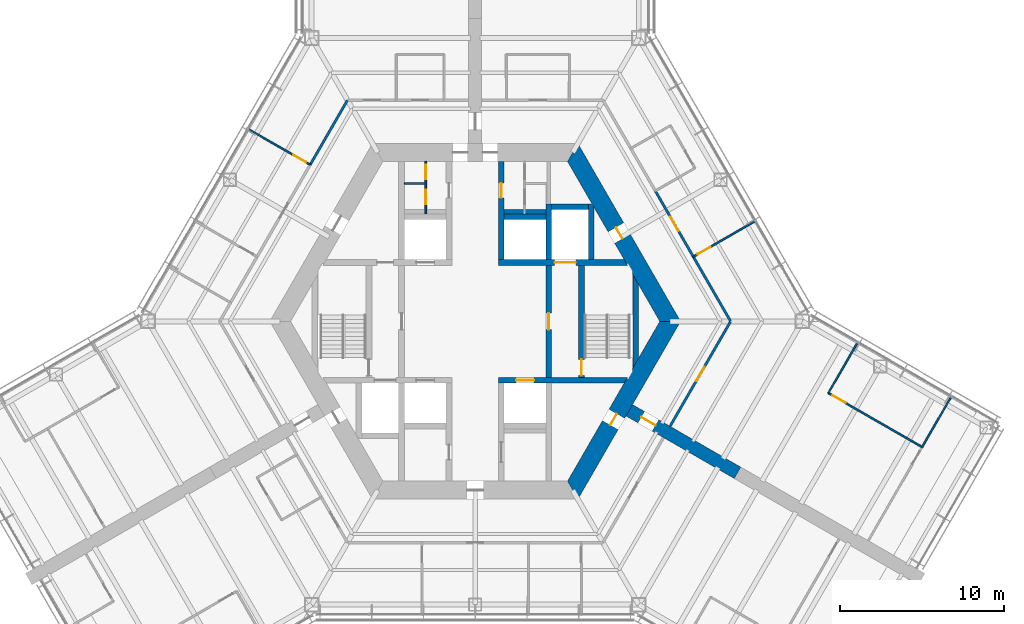
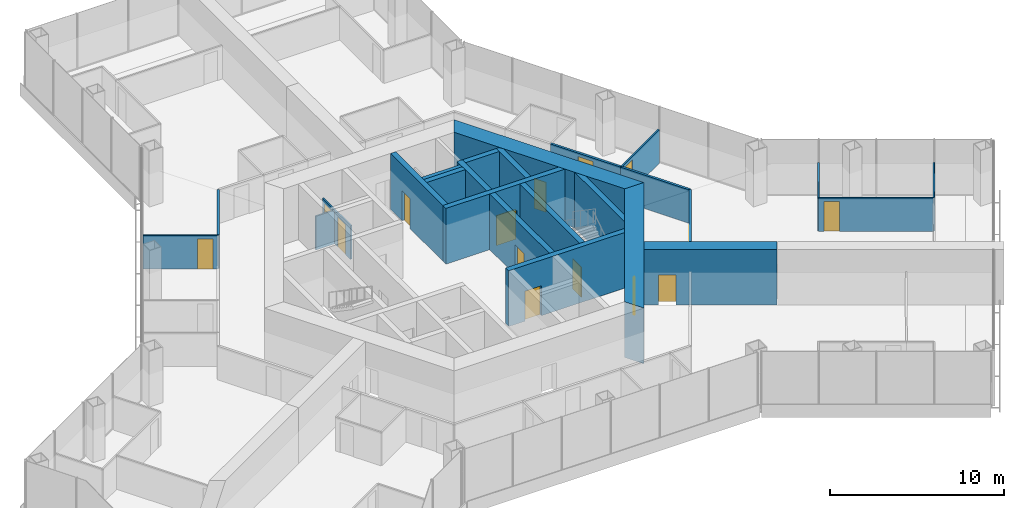
# One storey, part 14 of 18: 25 walls, 15 doors, 15 openings.
"""IFC4 building model written with IfcOpenShell, lengths in metres."""

from ifc_helpers import new_model, si_unit, direction, frame, frame_2d, origin, place, context, subcontext, project, spatial, polyline, rectangle, outline, extrude, material, layer, layer_set, type_object, element, fill, save


model = new_model("IFC4")

# Units and contexts
model_context = context("Model", 3, precision=1e-05, world=origin(), true_north=direction((0.0, 1.0)))
body_context = subcontext(model_context, "Body", "Model", "MODEL_VIEW")
ifc_project = project(units=[si_unit("LENGTHUNIT", "METRE"), si_unit("AREAUNIT", "SQUARE_METRE"), si_unit("VOLUMEUNIT", "CUBIC_METRE"), si_unit("PLANEANGLEUNIT", "RADIAN"), si_unit("MASSUNIT", "GRAM", prefix="KILO")], contexts=[model_context])

# Site, building, storey
site_placement = place(None, origin())
site = spatial("IfcSite", under=ifc_project, at=site_placement, CompositionType="ELEMENT")
building_placement = place(site_placement, origin())
building = spatial("IfcBuilding", under=site, at=building_placement, Name="Kasaneha Research Tower", CompositionType="ELEMENT")
storey_placement = place(building_placement, frame((0.0, 0.0, 119.699951171875)))
storey = spatial("IfcBuildingStorey", under=building, at=storey_placement, Name="L30", CompositionType="ELEMENT", Elevation=119.699951171875)

# Wall, opening, door
ifc_material_1 = material(Name="Concrete Fc80", Category="concrete")
ifc_layer_1 = layer(ifc_material_1, 0.35009765625)
ifc_layer_set_1 = layer_set([ifc_layer_1], Name="Core internal wall 350 Fc80")
wall_type_1 = type_object("IfcWallType", Name="Core internal wall 350 Fc80", PredefinedType="SHEAR", material=ifc_layer_set_1)
wall_1_placement = place(storey_placement, frame((1.425048828125, 3.60009765625, 0.0), z_axis=(0.0, 0.0, 1.0), x_axis=(1.0, 0.0, 0.0)))
wall_1 = element("IfcWall", 1, at=wall_1_placement, inside=storey, type_object=wall_type_1, Name="Core wall W1E L30", PredefinedType="SHEAR", context=body_context, shape_type="SweptSolid", body=[
    extrude(outline(polyline([(0.0, -0.175048828125), (3.425048828125, -0.175048828125), (4.72509765625, -0.175048828125), (7.884765625, -0.175048828125), (7.6826171875, 0.175048828125), (4.72509765625, 0.175048828125), (3.425048828125, 0.175048828125), (0.0, 0.175048828125), (0.0, -0.175048828125)])), origin(), (0.0, 0.0, 1.0), 3.900146484375),
])
opening_1_placement = place(wall_1_placement, frame((3.425048828125, 0.0, 0.0)))
opening_1 = element("IfcOpeningElement", 2, at=opening_1_placement, cuts=wall_1, Name="Opening LD-FL1-L30", PredefinedType="OPENING", context=body_context, shape_type="SweptSolid", body=[
    extrude(rectangle(XDim=1.300048828125, YDim=2.10009765625, at=frame_2d((0.64990234375, 1.050048828125))), frame((0.0, 0.18505859375, 0.0), z_axis=(0.0, -1.0, 0.0), x_axis=(1.0, 0.0, 0.0)), (0.0, 0.0, 1.0), 0.3701171875),
])
ifc_material_2 = material(Name="Steel", Category="steel")
door_type_1 = type_object("IfcDoorType", Name="Lift landing door 1300x2100", OperationType="DOUBLE_DOOR_SLIDING", PredefinedType="DOOR", material=ifc_material_2)
door_1_placement = place(opening_1_placement, origin())
door_1 = element("IfcDoor", 3, at=door_1_placement, inside=storey, type_object=door_type_1, Name="Landing door FL1 LD-FL1-L30", OperationType="DOUBLE_DOOR_SLIDING", OverallHeight=2.10009765625, OverallWidth=1.300048828125, PredefinedType="DOOR", context=body_context, shape_type="SweptSolid", body=[
    extrude(rectangle(XDim=1.300048828125, YDim=2.10009765625, at=frame_2d((0.64990234375, 1.050048828125))), frame((0.0, 0.02490234375, 0.0), z_axis=(0.0, -1.0, 0.0), x_axis=(1.0, 0.0, 0.0)), (0.0, 0.0, 1.0), 0.050048828125),
])
fill(opening_1, door_1)

wall_2_placement = place(storey_placement, frame((1.425048828125, -3.60009765625, 0.0), z_axis=(0.0, 0.0, 1.0), x_axis=(1.0, 0.0, 0.0)))
wall_2 = element("IfcWall", 4, at=wall_2_placement, inside=storey, type_object=wall_type_1, Name="Core wall W2E L30", PredefinedType="SHEAR", context=body_context, shape_type="SweptSolid", body=[
    extrude(outline(polyline([(0.0, -0.175048828125), (1.074951171875, -0.175048828125), (2.175048828125, -0.175048828125), (7.6826171875, -0.175048828125), (7.884765625, 0.175048828125), (2.175048828125, 0.175048828125), (1.074951171875, 0.175048828125), (0.0, 0.175048828125), (0.0, -0.175048828125)])), origin(), (0.0, 0.0, 1.0), 3.900146484375),
])
opening_2_placement = place(wall_2_placement, frame((1.074951171875, 0.0, 0.0)))
opening_2 = element("IfcOpeningElement", 5, at=opening_2_placement, cuts=wall_2, Name="Opening LD-LO3-L30", PredefinedType="OPENING", context=body_context, shape_type="SweptSolid", body=[
    extrude(rectangle(XDim=1.10009765625, YDim=2.10009765625, at=frame_2d((0.550048828125, 1.050048828125))), frame((0.0, 0.18505859375, 0.0), z_axis=(0.0, -1.0, 0.0), x_axis=(1.0, 0.0, 0.0)), (0.0, 0.0, 1.0), 0.3701171875),
])
ifc_material_3 = material(Name="Steel", Category="steel")
door_type_2 = type_object("IfcDoorType", Name="Lift landing door 1100x2100", OperationType="DOUBLE_DOOR_SLIDING", PredefinedType="DOOR", material=ifc_material_3)
door_2_placement = place(opening_2_placement, origin())
door_2 = element("IfcDoor", 6, at=door_2_placement, inside=storey, type_object=door_type_2, Name="Landing door LO3 LD-LO3-L30", OperationType="DOUBLE_DOOR_SLIDING", OverallHeight=2.10009765625, OverallWidth=1.10009765625, PredefinedType="DOOR", context=body_context, shape_type="SweptSolid", body=[
    extrude(rectangle(XDim=1.10009765625, YDim=2.10009765625, at=frame_2d((0.550048828125, 1.050048828125))), frame((0.0, 0.02490234375, 0.0), z_axis=(0.0, -1.0, 0.0), x_axis=(1.0, 0.0, 0.0)), (0.0, 0.0, 1.0), 0.050048828125),
])
fill(opening_2, door_2)

wall_3_placement = place(storey_placement, frame((1.60009765625, 3.77490234375, 0.0), z_axis=(0.0, 0.0, 1.0), x_axis=(0.0, 1.0, 0.0)))
wall_3 = element("IfcWall", 7, at=wall_3_placement, inside=storey, type_object=wall_type_1, Name="Core wall CNE L30", PredefinedType="SHEAR", context=body_context, shape_type="SweptSolid", body=[
    extrude(rectangle(XDim=6.0, YDim=0.35009765625, at=frame_2d((3.0, 0.0))), origin(), (0.0, 0.0, 1.0), 3.900146484375),
])
opening_3_placement = place(wall_3_placement, frame((3.77490234375, 0.0, 0.0)))
opening_3 = element("IfcOpeningElement", 8, at=opening_3_placement, cuts=wall_3, Name="Opening L30-D14", PredefinedType="OPENING", context=body_context, shape_type="SweptSolid", body=[
    extrude(rectangle(XDim=0.89990234375, YDim=2.10009765625, at=frame_2d((0.449951171875, 1.050048828125))), frame((0.0, 0.18505859375, 0.0), z_axis=(0.0, -1.0, 0.0), x_axis=(1.0, 0.0, 0.0)), (0.0, 0.0, 1.0), 0.3701171875),
])
ifc_material_4 = material(Name="Steel", Category="steel")
door_type_3 = type_object("IfcDoorType", Name="Toilet door FD20 900x2100", OperationType="NOTDEFINED", PredefinedType="DOOR", material=ifc_material_4)
door_3_placement = place(opening_3_placement, origin())
door_3 = element("IfcDoor", 9, at=door_3_placement, inside=storey, type_object=door_type_3, Name="Women's WC door L30-D14", OperationType="SINGLE_SWING_LEFT", OverallHeight=2.10009765625, OverallWidth=0.89990234375, PredefinedType="DOOR", context=body_context, shape_type="SweptSolid", body=[
    extrude(rectangle(XDim=0.89990234375, YDim=2.10009765625, at=frame_2d((0.449951171875, 1.050048828125))), frame((0.0, 0.02490234375, 0.0), z_axis=(0.0, -1.0, 0.0), x_axis=(1.0, 0.0, 0.0)), (0.0, 0.0, 1.0), 0.050048828125),
])
fill(opening_3, door_3)

wall_4_placement = place(storey_placement, frame((4.5, -3.425048828125, 0.0), z_axis=(0.0, 0.0, 1.0), x_axis=(0.0, 1.0, 0.0)))
wall_4 = element("IfcWall", 10, at=wall_4_placement, inside=storey, type_object=wall_type_1, Name="Core wall LBE L30", PredefinedType="SHEAR", context=body_context, shape_type="SweptSolid", body=[
    extrude(rectangle(XDim=6.85009765625, YDim=0.35009765625, at=frame_2d((3.425048828125, 0.0))), origin(), (0.0, 0.0, 1.0), 3.900146484375),
])
opening_4_placement = place(wall_4_placement, frame((2.925048828125, 0.0, 0.0)))
opening_4 = element("IfcOpeningElement", 11, at=opening_4_placement, cuts=wall_4, Name="Opening L30-D08", PredefinedType="OPENING", context=body_context, shape_type="SweptSolid", body=[
    extrude(rectangle(XDim=1.0, YDim=2.10009765625, at=frame_2d((0.5, 1.050048828125))), frame((0.0, 0.18505859375, 0.0), z_axis=(0.0, -1.0, 0.0), x_axis=(1.0, 0.0, 0.0)), (0.0, 0.0, 1.0), 0.3701171875),
])
ifc_material_5 = material(Name="Steel", Category="steel")
door_type_4 = type_object("IfcDoorType", Name="Specified fire door FD60 1000x2100", OperationType="NOTDEFINED", PredefinedType="DOOR", material=ifc_material_5)
door_4_placement = place(opening_4_placement, origin())
door_4 = element("IfcDoor", 12, at=door_4_placement, inside=storey, type_object=door_type_4, Name="Lift lobby door east L30-D08", OperationType="SINGLE_SWING_LEFT", OverallHeight=2.10009765625, OverallWidth=1.0, PredefinedType="DOOR", context=body_context, shape_type="SweptSolid", body=[
    extrude(rectangle(XDim=1.0, YDim=2.10009765625, at=frame_2d((0.5, 1.050048828125))), frame((0.0, 0.02490234375, 0.0), z_axis=(0.0, -1.0, 0.0), x_axis=(1.0, 0.0, 0.0)), (0.0, 0.0, 1.0), 0.050048828125),
])
fill(opening_4, door_4)

wall_5_placement = place(storey_placement, frame((6.5, -3.425048828125, 0.0), z_axis=(0.0, 0.0, 1.0), x_axis=(0.0, 1.0, 0.0)))
wall_5 = element("IfcWall", 13, at=wall_5_placement, inside=storey, type_object=wall_type_1, Name="Core wall ANE L30", PredefinedType="SHEAR", context=body_context, shape_type="SweptSolid", body=[
    extrude(rectangle(XDim=6.85009765625, YDim=0.35009765625, at=frame_2d((3.425048828125, 0.0))), origin(), (0.0, 0.0, 1.0), 3.900146484375),
])
opening_5_placement = place(wall_5_placement, frame((0.10009765625, 0.0, 0.0)))
opening_5 = element("IfcOpeningElement", 14, at=opening_5_placement, cuts=wall_5, Name="Opening L30-D10", PredefinedType="OPENING", context=body_context, shape_type="SweptSolid", body=[
    extrude(rectangle(XDim=1.0, YDim=2.10009765625, at=frame_2d((0.5, 1.050048828125))), frame((0.0, 0.18505859375, 0.0), z_axis=(0.0, -1.0, 0.0), x_axis=(1.0, 0.0, 0.0)), (0.0, 0.0, 1.0), 0.3701171875),
])
door_5_placement = place(opening_5_placement, origin())
door_5 = element("IfcDoor", 15, at=door_5_placement, inside=storey, type_object=door_type_4, Name="Stair 1 door L30-D10", OperationType="SINGLE_SWING_LEFT", OverallHeight=2.10009765625, OverallWidth=1.0, PredefinedType="DOOR", context=body_context, shape_type="SweptSolid", body=[
    extrude(rectangle(XDim=1.0, YDim=2.10009765625, at=frame_2d((0.5, 1.050048828125))), frame((0.0, 0.02490234375, 0.0), z_axis=(0.0, -1.0, 0.0), x_axis=(1.0, 0.0, 0.0)), (0.0, 0.0, 1.0), 0.050048828125),
])
fill(opening_5, door_5)

# Walls
wall_6_placement = place(storey_placement, frame((4.5, 3.77490234375, 0.0), z_axis=(0.0, 0.0, 1.0), x_axis=(0.0, 1.0, 0.0)))
element("IfcWall", 16, at=wall_6_placement, inside=storey, type_object=wall_type_1, Name="Core wall FNE L30", PredefinedType="SHEAR", context=body_context, shape_type="SweptSolid", body=[
    extrude(rectangle(XDim=3.400146484375, YDim=0.35009765625, at=frame_2d((1.7001953125, 0.0))), origin(), (0.0, 0.0, 1.0), 3.900146484375),
])
wall_7_placement = place(storey_placement, frame((1.77490234375, 6.39990234375, 0.0), z_axis=(0.0, 0.0, 1.0), x_axis=(1.0, 0.0, 0.0)))
element("IfcWall", 17, at=wall_7_placement, inside=storey, type_object=wall_type_1, Name="Core wall N3N L30", PredefinedType="SHEAR", context=body_context, shape_type="SweptSolid", body=[
    extrude(rectangle(XDim=2.550048828125, YDim=0.35009765625, at=frame_2d((1.27490234375, 0.0))), origin(), (0.0, 0.0, 1.0), 3.900146484375),
])
wall_8_placement = place(storey_placement, frame((4.675048828125, 7.0, 0.0), z_axis=(0.0, 0.0, 1.0), x_axis=(1.0, 0.0, 0.0)))
element("IfcWall", 18, at=wall_8_placement, inside=storey, type_object=wall_type_1, Name="Core wall F1N L30", PredefinedType="SHEAR", context=body_context, shape_type="SweptSolid", body=[
    extrude(rectangle(XDim=2.25, YDim=0.35009765625, at=frame_2d((1.125, 0.0))), origin(), (0.0, 0.0, 1.0), 3.900146484375),
])
wall_9_placement = place(storey_placement, frame((7.10009765625, 3.77490234375, 0.0), z_axis=(0.0, 0.0, 1.0), x_axis=(0.0, 1.0, 0.0)))
element("IfcWall", 19, at=wall_9_placement, inside=storey, type_object=wall_type_1, Name="Core wall F1E L30", PredefinedType="SHEAR", context=body_context, shape_type="SweptSolid", body=[
    extrude(outline(polyline([(0.0, -0.175048828125), (3.174560546875, -0.175048828125), (3.400146484375, 0.0), (3.400146484375, 0.175048828125), (0.0, 0.175048828125), (0.0, -0.175048828125)])), origin(), (0.0, 0.0, 1.0), 3.900146484375),
])
wall_10_placement = place(storey_placement, frame((9.807861328125, -2.562255859375, 0.0), z_axis=(0.0, 0.0, 1.0), x_axis=(0.0, 1.0, 0.0)))
element("IfcWall", 20, at=wall_10_placement, inside=storey, type_object=wall_type_1, Name="Core wall STE L30", PredefinedType="SHEAR", context=body_context, shape_type="SweptSolid", body=[
    extrude(outline(polyline([(0.30322265625, -0.175048828125), (4.8212890625, -0.175048828125), (5.427734375, 0.175048828125), (-0.30322265625, 0.175048828125), (0.30322265625, -0.175048828125)])), origin(), (0.0, 0.0, 1.0), 3.900146484375),
])

# Wall, opening, door
ifc_material_6 = material(Name="Concrete Fc80", Category="concrete")
ifc_layer_2 = layer(ifc_material_6, 1.10009765625)
ifc_layer_set_2 = layer_set([ifc_layer_2], Name="Core wall 1100 Fc80")
wall_type_2 = type_object("IfcWallType", Name="Core wall 1100 Fc80", PredefinedType="SHEAR", material=ifc_layer_set_2)
wall_11_placement = place(storey_placement, frame((11.92236328125, 0.0, 0.0), z_axis=(0.0, 0.0, 1.0), x_axis=(-0.500004296715, 0.866022923061, 0.0)))
wall_11 = element("IfcWall", 21, at=wall_11_placement, inside=storey, type_object=wall_type_2, Name="Core wall 030 L30", PredefinedType="SHEAR", context=body_context, shape_type="SweptSolid", body=[
    extrude(outline(polyline([(-0.317626953125, -0.550048828125), (5.83544921875, -0.550048828125), (6.635498046875, -0.550048828125), (12.239990234375, -0.550048828125), (11.604736328125, 0.550048828125), (6.635498046875, 0.550048828125), (5.83544921875, 0.550048828125), (0.317626953125, 0.550048828125), (-0.317626953125, -0.550048828125)])), origin(), (0.0, 0.0, 1.0), 3.900146484375),
])
opening_6_placement = place(wall_11_placement, frame((5.83544921875, 0.0, 0.0)))
opening_6 = element("IfcOpeningElement", 22, at=opening_6_placement, cuts=wall_11, Name="Opening L30-D04", PredefinedType="OPENING", context=body_context, shape_type="SweptSolid", body=[
    extrude(rectangle(XDim=0.800048828125, YDim=2.10009765625, at=frame_2d((0.39990234375, 1.050048828125))), frame((0.0, 0.56005859375, 0.0), z_axis=(0.0, -1.0, 0.0), x_axis=(1.0, 0.0, 0.0)), (0.0, 0.0, 1.0), 1.1201171875),
])
ifc_material_7 = material(Name="Steel", Category="steel")
door_type_5 = type_object("IfcDoorType", Name="Riser access door FD60 800x2100", OperationType="NOTDEFINED", PredefinedType="DOOR", material=ifc_material_7)
door_6_placement = place(opening_6_placement, origin())
door_6 = element("IfcDoor", 23, at=door_6_placement, inside=storey, type_object=door_type_5, Name="Pipe riser door L30-D04", OperationType="SINGLE_SWING_RIGHT", OverallHeight=2.10009765625, OverallWidth=0.800048828125, PredefinedType="DOOR", context=body_context, shape_type="SweptSolid", body=[
    extrude(rectangle(XDim=0.800048828125, YDim=2.10009765625, at=frame_2d((0.39990234375, 1.050048828125))), frame((0.0, 0.02490234375, 0.0), z_axis=(0.0, -1.0, 0.0), x_axis=(1.0, 0.0, 0.0)), (0.0, 0.0, 1.0), 0.050048828125),
])
fill(opening_6, door_6)

wall_12_placement = place(storey_placement, frame((5.961181640625, -10.324951171875, 0.0), z_axis=(0.0, 0.0, 1.0), x_axis=(0.500004296715, 0.866022923061, 0.0)))
wall_12 = element("IfcWall", 24, at=wall_12_placement, inside=storey, type_object=wall_type_2, Name="Core wall 330 L30", PredefinedType="SHEAR", context=body_context, shape_type="SweptSolid", body=[
    extrude(outline(polyline([(-0.317626953125, -0.550048828125), (4.593994140625, -0.550048828125), (5.39404296875, -0.550048828125), (12.239990234375, -0.550048828125), (11.604736328125, 0.550048828125), (5.39404296875, 0.550048828125), (4.593994140625, 0.550048828125), (0.317626953125, 0.550048828125), (-0.317626953125, -0.550048828125)])), origin(), (0.0, 0.0, 1.0), 3.900146484375),
])
opening_7_placement = place(wall_12_placement, frame((4.593994140625, 0.0, 0.0)))
opening_7 = element("IfcOpeningElement", 25, at=opening_7_placement, cuts=wall_12, Name="Opening L30-D05", PredefinedType="OPENING", context=body_context, shape_type="SweptSolid", body=[
    extrude(rectangle(XDim=0.800048828125, YDim=2.10009765625, at=frame_2d((0.39990234375, 1.050048828125))), frame((0.0, 0.56005859375, 0.0), z_axis=(0.0, -1.0, 0.0), x_axis=(1.0, 0.0, 0.0)), (0.0, 0.0, 1.0), 1.1201171875),
])
door_7_placement = place(opening_7_placement, origin())
door_7 = element("IfcDoor", 26, at=door_7_placement, inside=storey, type_object=door_type_5, Name="Pipe riser door L30-D05", OperationType="SINGLE_SWING_LEFT", OverallHeight=2.10009765625, OverallWidth=0.800048828125, PredefinedType="DOOR", context=body_context, shape_type="SweptSolid", body=[
    extrude(rectangle(XDim=0.800048828125, YDim=2.10009765625, at=frame_2d((0.39990234375, 1.050048828125))), frame((0.0, 0.02490234375, 0.0), z_axis=(0.0, -1.0, 0.0), x_axis=(1.0, 0.0, 0.0)), (0.0, 0.0, 1.0), 0.050048828125),
])
fill(opening_7, door_7)

# Wall, openings, doors
ifc_material_8 = material(Name="Gypsum board on steel studs, one layer each side", Category="steel")
ifc_layer_3 = layer(ifc_material_8, 0.10009765625)
ifc_layer_set_3 = layer_set([ifc_layer_3], Name="Office partition 100")
wall_type_3 = type_object("IfcWallType", Name="Office partition 100", PredefinedType="PARTITIONING", material=ifc_layer_set_3)
wall_13_placement = place(storey_placement, frame((-3.02490234375, 6.574951171875, 0.0), z_axis=(0.0, 0.0, 1.0), x_axis=(0.0, 1.0, 0.0)))
wall_13 = element("IfcWall", 27, at=wall_13_placement, inside=storey, type_object=wall_type_3, Name="Office partition TBM1 L30", PredefinedType="PARTITIONING", context=body_context, shape_type="SweptSolid", body=[
    extrude(rectangle(XDim=3.199951171875, YDim=0.10009765625, at=frame_2d((1.60009765625, 0.0))), origin(), (0.0, 0.0, 1.0), 2.35009765625),
])
opening_8_placement = place(wall_13_placement, frame((0.574951171875, 0.0, 0.0)))
opening_8 = element("IfcOpeningElement", 28, at=opening_8_placement, cuts=wall_13, Name="Opening L30-D20", PredefinedType="OPENING", context=body_context, shape_type="SweptSolid", body=[
    extrude(rectangle(XDim=0.89990234375, YDim=2.10009765625, at=frame_2d((0.449951171875, 1.050048828125))), frame((0.0, 0.06005859375, 0.0), z_axis=(0.0, -1.0, 0.0), x_axis=(1.0, 0.0, 0.0)), (0.0, 0.0, 1.0), 0.1201171875),
])
opening_9_placement = place(wall_13_placement, frame((2.10009765625, 0.0, 0.0)))
opening_9 = element("IfcOpeningElement", 29, at=opening_9_placement, cuts=wall_13, Name="Opening L30-D21", PredefinedType="OPENING", context=body_context, shape_type="SweptSolid", body=[
    extrude(rectangle(XDim=0.89990234375, YDim=2.10009765625, at=frame_2d((0.449951171875, 1.050048828125))), frame((0.0, 0.06005859375, 0.0), z_axis=(0.0, -1.0, 0.0), x_axis=(1.0, 0.0, 0.0)), (0.0, 0.0, 1.0), 0.1201171875),
])
ifc_material_9 = material(Name="Steel", Category="steel")
door_type_6 = type_object("IfcDoorType", Name="Toilet lobby door FD30 900x2100", OperationType="NOTDEFINED", PredefinedType="DOOR", material=ifc_material_9)
door_8_placement = place(opening_8_placement, origin())
door_8 = element("IfcDoor", 30, at=door_8_placement, inside=storey, type_object=door_type_6, Name="Men's WC door L30-D20", OperationType="SINGLE_SWING_RIGHT", OverallHeight=2.10009765625, OverallWidth=0.89990234375, PredefinedType="DOOR", context=body_context, shape_type="SweptSolid", body=[
    extrude(rectangle(XDim=0.89990234375, YDim=2.10009765625, at=frame_2d((0.449951171875, 1.050048828125))), frame((0.0, 0.02490234375, 0.0), z_axis=(0.0, -1.0, 0.0), x_axis=(1.0, 0.0, 0.0)), (0.0, 0.0, 1.0), 0.050048828125),
])
fill(opening_8, door_8)
door_9_placement = place(opening_9_placement, origin())
door_9 = element("IfcDoor", 31, at=door_9_placement, inside=storey, type_object=door_type_6, Name="Cleaner's store door L30-D21", OperationType="SINGLE_SWING_RIGHT", OverallHeight=2.10009765625, OverallWidth=0.89990234375, PredefinedType="DOOR", context=body_context, shape_type="SweptSolid", body=[
    extrude(rectangle(XDim=0.89990234375, YDim=2.10009765625, at=frame_2d((0.449951171875, 1.050048828125))), frame((0.0, 0.02490234375, 0.0), z_axis=(0.0, -1.0, 0.0), x_axis=(1.0, 0.0, 0.0)), (0.0, 0.0, 1.0), 0.050048828125),
])
fill(opening_9, door_9)

# Wall
wall_14_placement = place(storey_placement, frame((-3.074951171875, 8.425048828125, 0.0), z_axis=(0.0, 0.0, 1.0), x_axis=(-1.0, 0.0, 0.0)))
element("IfcWall", 32, at=wall_14_placement, inside=storey, type_object=wall_type_3, Name="Office partition TBM2 L30", PredefinedType="PARTITIONING", context=body_context, shape_type="SweptSolid", body=[
    extrude(rectangle(XDim=1.25, YDim=0.10009765625, at=frame_2d((0.625, 0.0))), origin(), (0.0, 0.0, 1.0), 2.35009765625),
])

# Wall, opening, door
wall_15_placement = place(storey_placement, frame((13.33837890625, 3.947265625, 0.0), z_axis=(0.0, 0.0, 1.0), x_axis=(0.865505397626, 0.500899597405, 0.0)))
wall_15 = element("IfcWall", 33, at=wall_15_placement, inside=storey, type_object=wall_type_3, Name="Office partition FAE17 L30", PredefinedType="PARTITIONING", context=body_context, shape_type="SweptSolid", body=[
    extrude(rectangle(XDim=4.29541015625, YDim=0.10009765625, at=frame_2d((2.147705078125, 0.0))), origin(), (0.0, 0.0, 1.0), 2.35009765625),
])
opening_10_placement = place(wall_15_placement, frame((0.300048828125, 0.0, 0.0)))
opening_10 = element("IfcOpeningElement", 34, at=opening_10_placement, cuts=wall_15, Name="Opening L30-D28", PredefinedType="OPENING", context=body_context, shape_type="SweptSolid", body=[
    extrude(rectangle(XDim=0.89990234375, YDim=2.10009765625, at=frame_2d((0.449951171875, 1.050048828125))), frame((0.0, 0.06005859375, 0.0), z_axis=(0.0, -1.0, 0.0), x_axis=(1.0, 0.0, 0.0)), (0.0, 0.0, 1.0), 0.1201171875),
])
ifc_material_10 = material(Name="Timber veneer", Category="wood")
door_type_7 = type_object("IfcDoorType", Name="Office door 900x2100", OperationType="SINGLE_SWING_LEFT", PredefinedType="DOOR", material=ifc_material_10)
door_10_placement = place(opening_10_placement, origin())
door_10 = element("IfcDoor", 35, at=door_10_placement, inside=storey, type_object=door_type_7, Name="Meeting room door L30-D28", OperationType="SINGLE_SWING_LEFT", OverallHeight=2.10009765625, OverallWidth=0.89990234375, PredefinedType="DOOR", context=body_context, shape_type="SweptSolid", body=[
    extrude(rectangle(XDim=0.89990234375, YDim=2.10009765625, at=frame_2d((0.449951171875, 1.050048828125))), frame((0.0, 0.02490234375, 0.0), z_axis=(0.0, -1.0, 0.0), x_axis=(1.0, 0.0, 0.0)), (0.0, 0.0, 1.0), 0.050048828125),
])
fill(opening_10, door_10)

wall_16_placement = place(storey_placement, frame((-10.087646484375, 9.577880859375, 0.0), z_axis=(0.0, 0.0, 1.0), x_axis=(-0.866555067673, 0.499081470994, 0.0)))
wall_16 = element("IfcWall", 36, at=wall_16_placement, inside=storey, type_object=wall_type_3, Name="Office partition FBN09 L30", PredefinedType="PARTITIONING", context=body_context, shape_type="SweptSolid", body=[
    extrude(rectangle(XDim=4.320556640625, YDim=0.10009765625, at=frame_2d((2.16015625, 0.0))), origin(), (0.0, 0.0, 1.0), 2.35009765625),
])
opening_11_placement = place(wall_16_placement, frame((0.300048828125, 0.0, 0.0)))
opening_11 = element("IfcOpeningElement", 37, at=opening_11_placement, cuts=wall_16, Name="Opening L30-D37", PredefinedType="OPENING", context=body_context, shape_type="SweptSolid", body=[
    extrude(rectangle(XDim=0.89990234375, YDim=2.10009765625, at=frame_2d((0.449951171875, 1.050048828125))), frame((0.0, 0.06005859375, 0.0), z_axis=(0.0, -1.0, 0.0), x_axis=(1.0, 0.0, 0.0)), (0.0, 0.0, 1.0), 0.1201171875),
])
door_11_placement = place(opening_11_placement, origin())
door_11 = element("IfcDoor", 38, at=door_11_placement, inside=storey, type_object=door_type_7, Name="Locker room door L30-D37", OperationType="SINGLE_SWING_LEFT", OverallHeight=2.10009765625, OverallWidth=0.89990234375, PredefinedType="DOOR", context=body_context, shape_type="SweptSolid", body=[
    extrude(rectangle(XDim=0.89990234375, YDim=2.10009765625, at=frame_2d((0.449951171875, 1.050048828125))), frame((0.0, 0.02490234375, 0.0), z_axis=(0.0, -1.0, 0.0), x_axis=(1.0, 0.0, 0.0)), (0.0, 0.0, 1.0), 0.050048828125),
])
fill(opening_11, door_11)

# Walls
wall_17_placement = place(storey_placement, frame((29.074951171875, -4.662109375, 0.0), z_axis=(0.0, 0.0, 1.0), x_axis=(-0.501335959492, -0.865252712056, 0.0)))
element("IfcWall", 39, at=wall_17_placement, inside=storey, type_object=wall_type_3, Name="Office partition FCE02 L30", PredefinedType="PARTITIONING", context=body_context, shape_type="SweptSolid", body=[
    extrude(rectangle(XDim=3.5, YDim=0.10009765625, at=frame_2d((1.75, 0.0))), origin(), (0.0, 0.0, 1.0), 2.35009765625),
])
wall_18_placement = place(storey_placement, frame((21.59228515625, -4.38330078125, 0.0), z_axis=(0.0, 0.0, 1.0), x_axis=(0.500009906705, 0.86601968407, 0.0)))
element("IfcWall", 40, at=wall_18_placement, inside=storey, type_object=wall_type_3, Name="Office partition FCE03 L30", PredefinedType="PARTITIONING", context=body_context, shape_type="SweptSolid", body=[
    extrude(rectangle(XDim=3.47998046875, YDim=0.10009765625, at=frame_2d((1.739990234375, 0.0))), origin(), (0.0, 0.0, 1.0), 2.35009765625),
])

# Wall, opening, door
wall_19_placement = place(storey_placement, frame((27.326904296875, -7.689697265625, 0.0), z_axis=(0.0, 0.0, 1.0), x_axis=(-0.866318796728, 0.499491483847, 0.0)))
wall_19 = element("IfcWall", 41, at=wall_19_placement, inside=storey, type_object=wall_type_3, Name="Office partition FCE04 L30", PredefinedType="PARTITIONING", context=body_context, shape_type="SweptSolid", body=[
    extrude(rectangle(XDim=6.61962890625, YDim=0.10009765625, at=frame_2d((3.309814453125, 0.0))), origin(), (0.0, 0.0, 1.0), 2.35009765625),
])
opening_12_placement = place(wall_19_placement, frame((5.419677734375, 0.0, 0.0)))
opening_12 = element("IfcOpeningElement", 42, at=opening_12_placement, cuts=wall_19, Name="Opening L30-D45", PredefinedType="OPENING", context=body_context, shape_type="SweptSolid", body=[
    extrude(rectangle(XDim=0.89990234375, YDim=2.10009765625, at=frame_2d((0.449951171875, 1.050048828125))), frame((0.0, 0.06005859375, 0.0), z_axis=(0.0, -1.0, 0.0), x_axis=(1.0, 0.0, 0.0)), (0.0, 0.0, 1.0), 0.1201171875),
])
door_12_placement = place(opening_12_placement, origin())
door_12 = element("IfcDoor", 43, at=door_12_placement, inside=storey, type_object=door_type_7, Name="Reception room door L30-D45", OperationType="SINGLE_SWING_RIGHT", OverallHeight=2.10009765625, OverallWidth=0.89990234375, PredefinedType="DOOR", context=body_context, shape_type="SweptSolid", body=[
    extrude(rectangle(XDim=0.89990234375, YDim=2.10009765625, at=frame_2d((0.449951171875, 1.050048828125))), frame((0.0, 0.02490234375, 0.0), z_axis=(0.0, -1.0, 0.0), x_axis=(1.0, 0.0, 0.0)), (0.0, 0.0, 1.0), 0.050048828125),
])
fill(opening_12, door_12)

ifc_material_11 = material(Name="Concrete Fc80", Category="concrete")
ifc_layer_4 = layer(ifc_material_11, 0.800048828125)
ifc_layer_set_4 = layer_set([ifc_layer_4], Name="Spine wall 800 Fc80")
wall_type_4 = type_object("IfcWallType", Name="Spine wall 800 Fc80", PredefinedType="SHEAR", material=ifc_layer_set_4)
wall_20_placement = place(storey_placement, frame((9.41796875, -5.4375, 0.0), z_axis=(0.0, 0.0, 1.0), x_axis=(0.866029782078, -0.499992416496, 0.0)))
wall_20 = element("IfcWall", 44, at=wall_20_placement, inside=storey, type_object=wall_type_4, Name="Spine wall C L30", PredefinedType="SHEAR", context=body_context, shape_type="SweptSolid", body=[
    extrude(rectangle(XDim=7.6455078125, YDim=0.800048828125, at=frame_2d((3.82275390625, 0.0))), origin(), (0.0, 0.0, 1.0), 3.900146484375),
])
opening_13_placement = place(wall_20_placement, frame((0.85009765625, 0.0, 0.0)))
opening_13 = element("IfcOpeningElement", 45, at=opening_13_placement, cuts=wall_20, Name="Opening L30-D19", PredefinedType="OPENING", context=body_context, shape_type="SweptSolid", body=[
    extrude(rectangle(XDim=1.0, YDim=2.10009765625, at=frame_2d((0.5, 1.050048828125))), frame((0.0, 0.41015625, 0.0), z_axis=(0.0, -1.0, 0.0), x_axis=(1.0, 0.0, 0.0)), (0.0, 0.0, 1.0), 0.820068359375),
])
door_13_placement = place(opening_13_placement, origin())
door_13 = element("IfcDoor", 46, at=door_13_placement, inside=storey, type_object=door_type_4, Name="Spine doorway C L30-D19", OperationType="SINGLE_SWING_LEFT", OverallHeight=2.10009765625, OverallWidth=1.0, PredefinedType="DOOR", context=body_context, shape_type="SweptSolid", body=[
    extrude(rectangle(XDim=1.0, YDim=2.10009765625, at=frame_2d((0.5, 1.050048828125))), frame((0.0, 0.02490234375, 0.0), z_axis=(0.0, -1.0, 0.0), x_axis=(1.0, 0.0, 0.0)), (0.0, 0.0, 1.0), 0.050048828125),
])
fill(opening_13, door_13)

# Wall
ifc_material_12 = material(Name="Gypsum board on steel studs, two layers each side", Category="steel")
ifc_layer_5 = layer(ifc_material_12, 0.14990234375)
ifc_layer_set_5 = layer_set([ifc_layer_5], Name="Suite partition 150")
wall_type_5 = type_object("IfcWallType", Name="Suite partition 150", PredefinedType="PARTITIONING", material=ifc_layer_set_5)
wall_21_placement = place(storey_placement, frame((13.333740234375, 3.955322265625, 0.0), z_axis=(0.0, 0.0, 1.0), x_axis=(0.499987549055, -0.866032592222, 0.0)))
element("IfcWall", 47, at=wall_21_placement, inside=storey, type_object=wall_type_5, Name="Suite partition FAE03 L30", PredefinedType="PARTITIONING", context=body_context, shape_type="SweptSolid", body=[
    extrude(rectangle(XDim=4.5439453125, YDim=0.14990234375, at=frame_2d((2.27197265625, 0.0))), origin(), (0.0, 0.0, 1.0), 2.35009765625),
])

# Wall, opening, door
wall_22_placement = place(storey_placement, frame((11.0107421875, 7.978759765625, 0.0), z_axis=(0.0, 0.0, 1.0), x_axis=(0.500008456887, -0.866020521143, 0.0)))
wall_22 = element("IfcWall", 48, at=wall_22_placement, inside=storey, type_object=wall_type_5, Name="Suite partition FAE07 L30", PredefinedType="PARTITIONING", context=body_context, shape_type="SweptSolid", body=[
    extrude(rectangle(XDim=4.6552734375, YDim=0.14990234375, at=frame_2d((2.32763671875, 0.0))), origin(), (0.0, 0.0, 1.0), 2.35009765625),
])
opening_14_placement = place(wall_22_placement, frame((1.82763671875, 0.0, 0.0)))
opening_14 = element("IfcOpeningElement", 49, at=opening_14_placement, cuts=wall_22, Name="Opening L30-D25", PredefinedType="OPENING", context=body_context, shape_type="SweptSolid", body=[
    extrude(rectangle(XDim=1.0, YDim=2.10009765625, at=frame_2d((0.5, 1.050048828125))), frame((0.0, 0.0849609375, 0.0), z_axis=(0.0, -1.0, 0.0), x_axis=(1.0, 0.0, 0.0)), (0.0, 0.0, 1.0), 0.169921875),
])
ifc_material_13 = material(Name="Steel", Category="steel")
door_type_8 = type_object("IfcDoorType", Name="Suite entrance door FD60 1000x2100", OperationType="NOTDEFINED", PredefinedType="DOOR", material=ifc_material_13)
door_14_placement = place(opening_14_placement, origin())
door_14 = element("IfcDoor", 50, at=door_14_placement, inside=storey, type_object=door_type_8, Name="Suite entrance door L30-D25", OperationType="SINGLE_SWING_LEFT", OverallHeight=2.10009765625, OverallWidth=1.0, PredefinedType="DOOR", context=body_context, shape_type="SweptSolid", body=[
    extrude(rectangle(XDim=1.0, YDim=2.10009765625, at=frame_2d((0.5, 1.050048828125))), frame((0.0, 0.02490234375, 0.0), z_axis=(0.0, -1.0, 0.0), x_axis=(1.0, 0.0, 0.0)), (0.0, 0.0, 1.0), 0.050048828125),
])
fill(opening_14, door_14)

# Wall
wall_23_placement = place(storey_placement, frame((-10.09228515625, 9.569580078125, 0.0), z_axis=(0.0, 0.0, 1.0), x_axis=(0.499987549055, 0.866032592222, 0.0)))
element("IfcWall", 51, at=wall_23_placement, inside=storey, type_object=wall_type_5, Name="Suite partition FBN01 L30", PredefinedType="PARTITIONING", context=body_context, shape_type="SweptSolid", body=[
    extrude(rectangle(XDim=4.5439453125, YDim=0.14990234375, at=frame_2d((2.27197265625, 0.0))), origin(), (0.0, 0.0, 1.0), 2.35009765625),
])

# Wall, opening, door
wall_24_placement = place(storey_placement, frame((15.605712890625, -0.02001953125, 0.0), z_axis=(0.0, 0.0, 1.0), x_axis=(-0.499989298045, -0.866031582473, 0.0)))
wall_24 = element("IfcWall", 52, at=wall_24_placement, inside=storey, type_object=wall_type_5, Name="Suite partition FCE01 L30", PredefinedType="PARTITIONING", context=body_context, shape_type="SweptSolid", body=[
    extrude(rectangle(XDim=7.365478515625, YDim=0.14990234375, at=frame_2d((3.6826171875, 0.0))), origin(), (0.0, 0.0, 1.0), 2.35009765625),
])
opening_15_placement = place(wall_24_placement, frame((3.182861328125, 0.0, 0.0)))
opening_15 = element("IfcOpeningElement", 53, at=opening_15_placement, cuts=wall_24, Name="Opening L30-D44", PredefinedType="OPENING", context=body_context, shape_type="SweptSolid", body=[
    extrude(rectangle(XDim=1.0, YDim=2.10009765625, at=frame_2d((0.5, 1.050048828125))), frame((0.0, 0.0849609375, 0.0), z_axis=(0.0, -1.0, 0.0), x_axis=(1.0, 0.0, 0.0)), (0.0, 0.0, 1.0), 0.169921875),
])
door_15_placement = place(opening_15_placement, origin())
door_15 = element("IfcDoor", 54, at=door_15_placement, inside=storey, type_object=door_type_8, Name="Suite entrance door L30-D44", OperationType="SINGLE_SWING_RIGHT", OverallHeight=2.10009765625, OverallWidth=1.0, PredefinedType="DOOR", context=body_context, shape_type="SweptSolid", body=[
    extrude(rectangle(XDim=1.0, YDim=2.10009765625, at=frame_2d((0.5, 1.050048828125))), frame((0.0, 0.02490234375, 0.0), z_axis=(0.0, -1.0, 0.0), x_axis=(1.0, 0.0, 0.0)), (0.0, 0.0, 1.0), 0.050048828125),
])
fill(opening_15, door_15)

# Wall
ifc_material_14 = material(Name="Concrete block lining", Category="concrete")
ifc_layer_6 = layer(ifc_material_14, 0.25)
ifc_layer_set_6 = layer_set([ifc_layer_6], Name="WC plumbing wall 250")
wall_type_6 = type_object("IfcWallType", Name="WC plumbing wall 250", PredefinedType="PLUMBINGWALL", material=ifc_layer_set_6)
wall_25_placement = place(storey_placement, frame((1.77490234375, 6.699951171875, 0.0), z_axis=(0.0, 0.0, 1.0), x_axis=(1.0, 0.0, 0.0)))
element("IfcWall", 55, at=wall_25_placement, inside=storey, type_object=wall_type_6, Name="WC plumbing wall F L30", PredefinedType="PLUMBINGWALL", context=body_context, shape_type="SweptSolid", body=[
    extrude(rectangle(XDim=2.550048828125, YDim=0.25, at=frame_2d((1.27490234375, 0.0))), origin(), (0.0, 0.0, 1.0), 3.900146484375),
])

save(model, "model.ifc")
